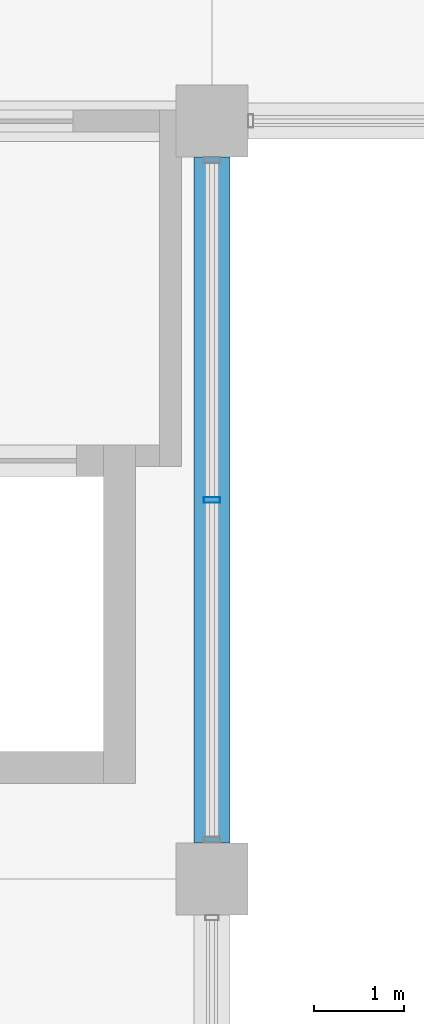
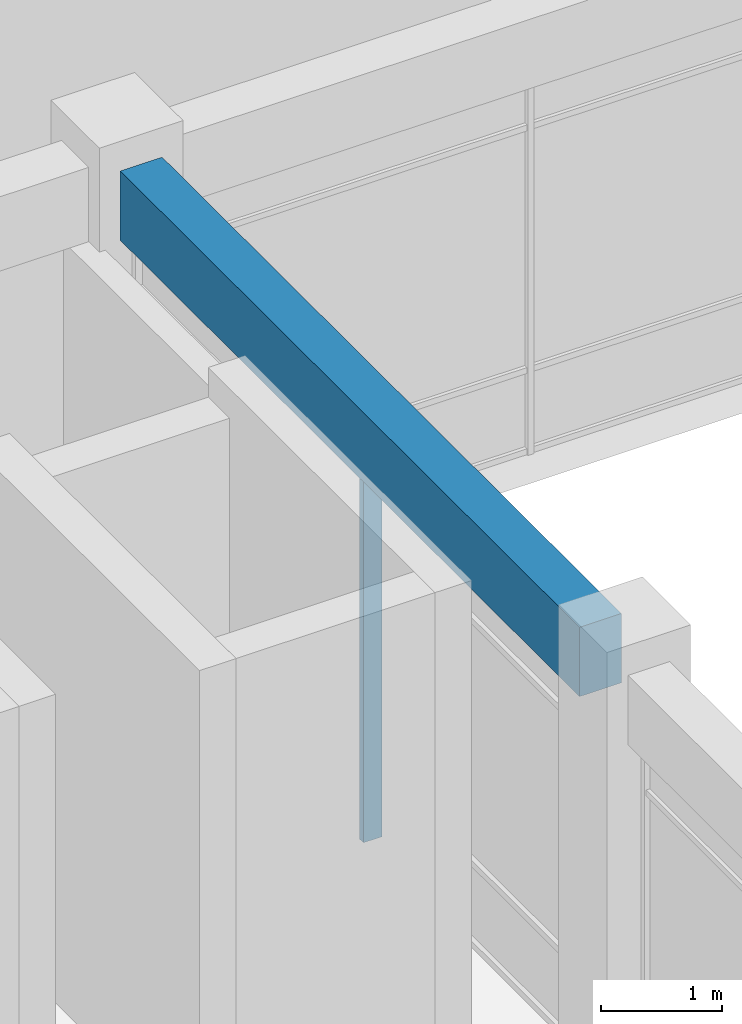
# One storey, part 4 of 62: 1 beam, 1 member, 1 element without a shape of its own.
"""IFC4 building model written with IfcOpenShell, lengths in metres."""

import ifcopenshell
import ifcopenshell.guid

model = None  # the IFC model being written
_history = None  # IfcOwnerHistory: only IFC2X3 demands one
_inside = {}  # id of a spatial element -> (the spatial element, [elements in it])
_under = {}  # id of a project, library or spatial element -> (it, [spatial elements below it])
_declared = {}  # id of a project -> (the project, [libraries it declares])
_typed = {}  # id of a type object -> (the type object, [elements of that type])
_made_of = {}  # id of a material, layer set ... -> (it, [elements and type objects made of it])


def new_model(schema):
    """Start an empty IFC model of exactly this schema.

    Asked for "IFC4X3", IfcOpenShell would pick the latest addendum, in which some entities
    have other attributes; the version numbers below select the first issue.
    IFC2X3 requires an IfcOwnerHistory on every rooted entity: one is made here for all.
    """
    global model, _history
    if schema == "IFC4X3":
        model = ifcopenshell.file(schema_version=(4, 3, 0, 0))
    else:
        model = ifcopenshell.file(schema=schema)
    _inside.clear()
    _under.clear()
    _declared.clear()
    _typed.clear()
    _made_of.clear()
    _history = None
    if model.schema == "IFC2X3":
        org = make("IfcOrganization", Name="unknown")
        user = make(
            "IfcPersonAndOrganization",
            ThePerson=make("IfcPerson", FamilyName="unknown"),
            TheOrganization=org,
        )
        app = make(
            "IfcApplication",
            ApplicationDeveloper=org,
            Version="unknown",
            ApplicationFullName="unknown",
            ApplicationIdentifier="unknown",
        )
        _history = make(
            "IfcOwnerHistory",
            OwningUser=user,
            OwningApplication=app,
            ChangeAction="ADDED",
            CreationDate=0,
        )
    return model


def make(cls, **values):
    """One entity of the class cls with the attributes given. An attribute that is None is left unset."""
    return model.create_entity(
        cls, **{name: value for name, value in values.items() if value is not None}
    )


def rooted(cls, **values):
    """An entity with a GlobalId (a new one), such as an element, a storey or a relation."""
    return make(cls, GlobalId=ifcopenshell.guid.new(), OwnerHistory=_history, **values)


def si_unit(unit_type, name, prefix=None):
    """IfcSIUnit, for example si_unit("LENGTHUNIT", "METRE", prefix="MILLI")."""
    return make("IfcSIUnit", UnitType=unit_type, Prefix=prefix, Name=name)


def assignment(units):
    """IfcUnitAssignment: the units of a project."""
    return None if units is None else make("IfcUnitAssignment", Units=units)


def point(xyz):
    """IfcCartesianPoint."""
    return None if xyz is None else make("IfcCartesianPoint", Coordinates=xyz)


def direction(xyz):
    """IfcDirection."""
    return None if xyz is None else make("IfcDirection", DirectionRatios=xyz)


def frame(location, z_axis=None, x_axis=None):
    """IfcAxis2Placement3D, a coordinate frame: its origin and axes. An axis left out is left unset."""
    return make(
        "IfcAxis2Placement3D",
        Location=point(location),
        Axis=direction(z_axis),
        RefDirection=direction(x_axis),
    )


def frame_2d(location, x_axis=None):
    """IfcAxis2Placement2D, a coordinate frame in the plane: its origin and x axis."""
    return make(
        "IfcAxis2Placement2D", Location=point(location), RefDirection=direction(x_axis)
    )


def origin():
    """The frame at (0, 0, 0) with its axes left unset."""
    return frame((0.0, 0.0, 0.0))


def origin_2d():
    """The frame at (0, 0) in the plane with its x axis left unset."""
    return frame_2d((0.0, 0.0))


def place(relative_to, where):
    """IfcLocalPlacement: puts the frame where relative to a parent placement (None: the world)."""
    return make(
        "IfcLocalPlacement", PlacementRelTo=relative_to, RelativePlacement=where
    )


def context(
    kind, dimensions, precision=None, world=None, true_north=None, identifier=None
):
    """IfcGeometricRepresentationContext, for example the 3D "Model" context."""
    return make(
        "IfcGeometricRepresentationContext",
        ContextIdentifier=identifier,
        ContextType=kind,
        CoordinateSpaceDimension=dimensions,
        Precision=precision,
        WorldCoordinateSystem=world,
        TrueNorth=true_north,
    )


def subcontext(parent, identifier, kind, view, scale=None):
    """IfcGeometricRepresentationSubContext, for example "Body" below "Model"."""
    return make(
        "IfcGeometricRepresentationSubContext",
        ContextIdentifier=identifier,
        ContextType=kind,
        ParentContext=parent,
        TargetScale=scale,
        TargetView=view,
    )


def project(units=None, contexts=None):
    """IfcProject with its units and contexts."""
    return rooted(
        "IfcProject",
        Name="project",
        RepresentationContexts=contexts,
        UnitsInContext=assignment(units),
    )


def spatial(cls, under=None, at=None, **own):
    """A site, building, storey or space (cls), placed at a placement, below another one or the project."""
    s = rooted(cls, ObjectPlacement=at, **own)
    if under is not None:
        _under.setdefault(under.id(), (under, []))[1].append(s)
    return s


def profile(cls, at=None, kind="AREA", **sizes):
    """A parametric profile (cls). Its sizes go by their IFC names, for example OverallWidth=200.0."""
    return make(cls, ProfileType=kind, Position=at, **sizes)


def rectangle(**sizes):
    """IfcRectangleProfileDef."""
    return profile("IfcRectangleProfileDef", **sizes)


def hollow_rectangle(**sizes):
    """IfcRectangleHollowProfileDef."""
    return profile("IfcRectangleHollowProfileDef", **sizes)


def extrude(swept, where, along, depth):
    """IfcExtrudedAreaSolid: the profile swept, set in the frame where, extruded along a direction by depth."""
    return make(
        "IfcExtrudedAreaSolid",
        SweptArea=swept,
        Position=where,
        ExtrudedDirection=direction(along),
        Depth=depth,
    )


def shape(context_of_items, identifier, shape_type, items):
    """IfcShapeRepresentation: the items that make up one representation, for example the "Body"."""
    return make(
        "IfcShapeRepresentation",
        ContextOfItems=context_of_items,
        RepresentationIdentifier=identifier,
        RepresentationType=shape_type,
        Items=items,
    )


def material(Name=None, Category=None):
    """IfcMaterial."""
    return make("IfcMaterial", Name=Name, Category=Category)


def material_profile(
    of_material, cross_section, Name=None, Category=None, Priority=None
):
    """IfcMaterialProfile: a cross section and its material."""
    return make(
        "IfcMaterialProfile",
        Name=Name,
        Material=of_material,
        Profile=cross_section,
        Priority=Priority,
        Category=Category,
    )


def profile_set(profiles, Name=None, composite=None):
    """IfcMaterialProfileSet."""
    return make(
        "IfcMaterialProfileSet",
        Name=Name,
        MaterialProfiles=profiles,
        CompositeProfile=composite,
    )


def made_of(thing, what):
    """Note that an element or type object is made of a material, layer set ...; save() writes the relation."""
    if what is not None:
        _made_of.setdefault(what.id(), (what, []))[1].append(thing)
    return thing


def type_object(cls, material=None, **own):
    """A type object (cls), such as IfcWallType, which elements share."""
    return made_of(rooted(cls, **own), material)


def element(
    cls,
    number,
    at=None,
    inside=None,
    cuts=None,
    type_object=None,
    material=None,
    context=None,
    identifier="Body",
    shape_type=None,
    held_by="IfcProductDefinitionShape",
    body=None,
    shapes=None,
    **own,
):
    """One element of the class cls, such as IfcWall. Its Tag is "e" and its number.

    at: its placement. inside: the storey or other place that contains it. cuts: it is an
    opening in that element (IfcRelVoidsElement). A single representation is given by context,
    identifier, shape_type and body (its items); several are given by shapes. held_by: the class
    of the entity that holds the representations. save() writes the other relations.
    """
    e = rooted(cls, Tag="e%d" % number, ObjectPlacement=at, **own)
    if body is not None:
        shapes = [shape(context, identifier, shape_type, body)]
    if shapes is not None:
        e.Representation = make(held_by, Representations=shapes)
    if inside is not None:
        _inside.setdefault(inside.id(), (inside, []))[1].append(e)
    if cuts is not None:
        rooted(
            "IfcRelVoidsElement", RelatingBuildingElement=cuts, RelatedOpeningElement=e
        )
    if type_object is not None:
        _typed.setdefault(type_object.id(), (type_object, []))[1].append(e)
    return made_of(e, material)


def aggregate(whole, parts):
    """IfcRelAggregates: a whole, such as a stair, and the parts it consists of."""
    return rooted("IfcRelAggregates", RelatingObject=whole, RelatedObjects=parts)


def save(model, path):
    """Write the relations noted so far, then the file.

    IfcRelAggregates (storeys below a building ...), IfcRelContainedInSpatialStructure (elements
    in a storey), IfcRelDefinesByType, IfcRelAssociatesMaterial and IfcRelDeclares: one each for
    every whole, place, type object, material and project.
    """
    for whole, parts in _under.values():
        aggregate(whole, parts)
    for where, things in _inside.values():
        rooted(
            "IfcRelContainedInSpatialStructure",
            RelatedElements=things,
            RelatingStructure=where,
        )
    for kind, things in _typed.values():
        rooted("IfcRelDefinesByType", RelatedObjects=things, RelatingType=kind)
    for what, things in _made_of.values():
        rooted("IfcRelAssociatesMaterial", RelatedObjects=things, RelatingMaterial=what)
    for by, libraries in _declared.values():
        rooted("IfcRelDeclares", RelatingContext=by, RelatedDefinitions=libraries)
    model.write(path)


model = new_model("IFC4")

# Units and contexts
model_context = context("Model", 3, precision=1e-05, world=origin(), true_north=direction((0.0, 1.0)))
body_context = subcontext(model_context, "Body", "Model", "MODEL_VIEW")
ifc_project = project(units=[si_unit("LENGTHUNIT", "METRE"), si_unit("AREAUNIT", "SQUARE_METRE"), si_unit("VOLUMEUNIT", "CUBIC_METRE"), si_unit("PLANEANGLEUNIT", "RADIAN"), si_unit("MASSUNIT", "GRAM", prefix="KILO"), si_unit("THERMODYNAMICTEMPERATUREUNIT", "KELVIN"), si_unit("POWERUNIT", "WATT")], contexts=[model_context])

# Site, building, storey
site_placement = place(None, origin())
site = spatial("IfcSite", under=ifc_project, at=site_placement, CompositionType="ELEMENT")
building_placement = place(site_placement, origin())
building = spatial("IfcBuilding", under=site, at=building_placement, Name="Srebrne Nadtorze General Hospital", CompositionType="ELEMENT")
storey_placement = place(building_placement, frame((0.0, 0.0, 9.60009765625)))
storey = spatial("IfcBuildingStorey", under=building, at=storey_placement, Name="L02", CompositionType="ELEMENT", Elevation=9.60009765625)

# Curtain wall, member
ifc_material_1 = material(Name="Anodised Aluminium", Category="aluminium")
curtain_wall_type = type_object("IfcCurtainWallType", Name="Unitised curtain wall 7600x3800", PredefinedType="NOTDEFINED", material=ifc_material_1)
curtain_wall_placement = place(storey_placement, origin())
curtain_wall = element("IfcCurtainWall", 1, at=curtain_wall_placement, inside=storey, type_object=curtain_wall_type, Name="Curtain wall CW-083", PredefinedType="NOTDEFINED")
ifc_material_2 = material(Name="Anodised Aluminium", Category="aluminium")
ifc_material_profile_1 = material_profile(ifc_material_2, hollow_rectangle(XDim=0.06494140625, YDim=0.179931640625, WallThickness=0.00390625, at=origin_2d()), Name="AL-MUL-65x180")
ifc_profile_set_1 = profile_set([ifc_material_profile_1], Name="Anodised Aluminium")
member_type = type_object("IfcMemberType", Name="Curtain mullion 65x180", PredefinedType="MULLION", material=ifc_profile_set_1)
member_placement = place(storey_placement, frame((54.60009765625, 46.199951171875, 0.0), z_axis=(0.0, 0.0, 1.0), x_axis=(0.0, 1.0, 0.0)))
member = element("IfcMember", 2, at=member_placement, type_object=member_type, Name="CW-083 mullion 2", PredefinedType="MULLION", context=body_context, shape_type="SweptSolid", body=[
    extrude(hollow_rectangle(XDim=0.06494140625, YDim=0.179931640625, WallThickness=0.00390625, at=origin_2d()), origin(), (0.0, 0.0, 1.0), 3.7998046875),
])
aggregate(curtain_wall, [member])

# Beam
ifc_material_3 = material(Name="Concrete C40/50", Category="concrete")
ifc_material_profile_2 = material_profile(ifc_material_3, rectangle(XDim=0.39990234375, YDim=0.699951171875, at=origin_2d()), Name="RC-BM-400x700")
ifc_profile_set_2 = profile_set([ifc_material_profile_2], Name="Concrete C40/50")
beam_type = type_object("IfcBeamType", Name="Edge beam RC 400x700", PredefinedType="BEAM", material=ifc_profile_set_2)
beam_placement = place(storey_placement, frame((54.60009765625, 42.39990234375, 4.14990234375), z_axis=(0.0, 1.0, 0.0), x_axis=(-1.0, 0.0, 0.0)))
element("IfcBeam", 3, at=beam_placement, inside=storey, type_object=beam_type, Name="Beam BM-L02-Y-0663", PredefinedType="BEAM", context=body_context, shape_type="SweptSolid", body=[
    extrude(rectangle(XDim=0.39990234375, YDim=0.699951171875, at=origin_2d()), origin(), (0.0, 0.0, 1.0), 7.60009765625),
])

save(model, "model.ifc")
